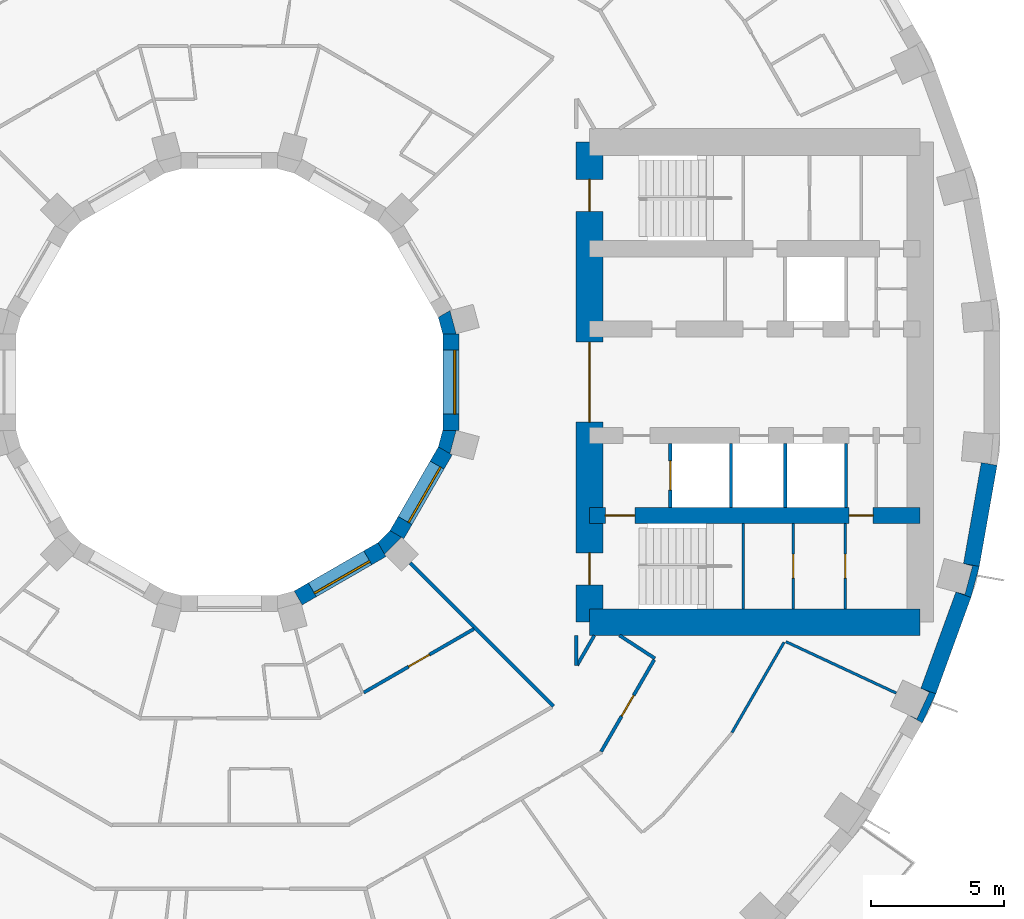
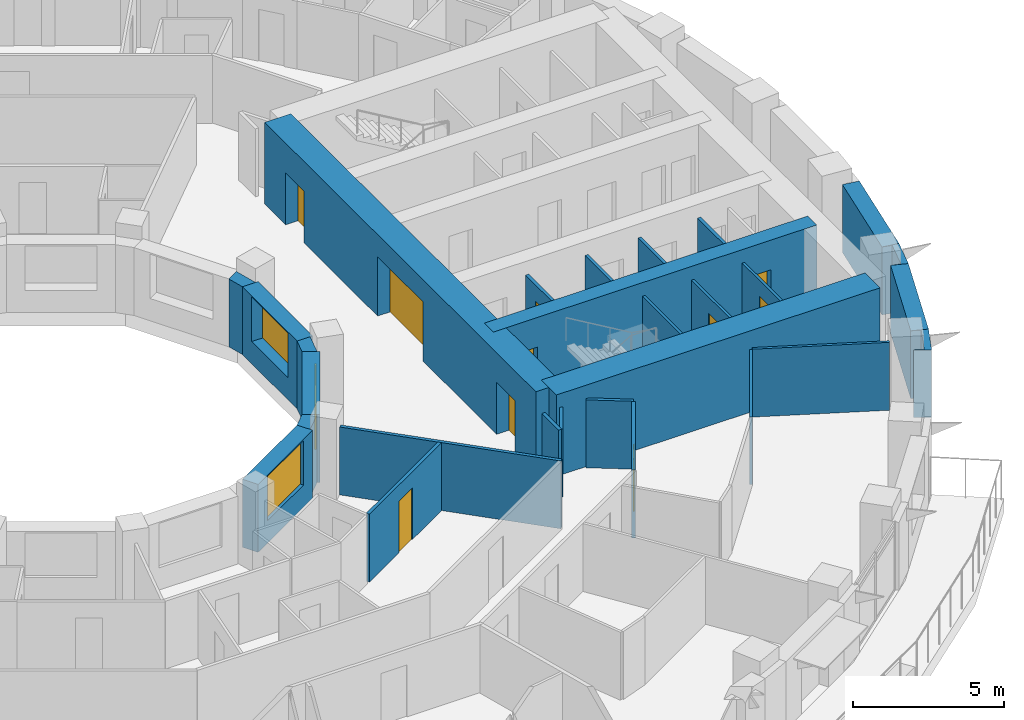
# One storey, part 9 of 16: 28 walls, 10 doors, 3 windows, 13 openings.
"""IFC4 building model written with IfcOpenShell, lengths in metres."""

from ifc_helpers import new_model, si_unit, direction, frame, frame_2d, origin, place, context, subcontext, project, spatial, polyline, rectangle, outline, extrude, material, layer, layer_set, type_object, element, fill, save


model = new_model("IFC4")

# Units and contexts
model_context = context("Model", 3, precision=1e-05, world=origin(), true_north=direction((0.0, 1.0)))
body_context = subcontext(model_context, "Body", "Model", "MODEL_VIEW")
ifc_project = project(units=[si_unit("LENGTHUNIT", "METRE"), si_unit("AREAUNIT", "SQUARE_METRE"), si_unit("VOLUMEUNIT", "CUBIC_METRE"), si_unit("PLANEANGLEUNIT", "RADIAN"), si_unit("MASSUNIT", "GRAM", prefix="KILO")], contexts=[model_context])

# Site, building, storey
site_placement = place(None, origin())
site = spatial("IfcSite", under=ifc_project, at=site_placement, CompositionType="ELEMENT")
building_placement = place(site_placement, origin())
building = spatial("IfcBuilding", under=site, at=building_placement, Name="Saqina Gate Tower", CompositionType="ELEMENT")
storey_placement = place(building_placement, frame((0.0, 0.0, 32.89990234375)))
storey = spatial("IfcBuildingStorey", under=building, at=storey_placement, Name="L08", CompositionType="ELEMENT", Elevation=32.89990234375)

# Walls
ifc_material_1 = material(Name="Brick masonry (red)", Category="masonry")
wall_type_1 = type_object("IfcWallType", Name="BRICK PIER COPING RED", PredefinedType="SOLIDWALL", material=ifc_material_1)
wall_1_placement = place(storey_placement, origin())
element("IfcWall", 1, at=wall_1_placement, inside=storey, type_object=wall_type_1, Name="Pier cap L08 column 34", PredefinedType="SOLIDWALL", context=body_context, shape_type="SweptSolid", body=[
    extrude(outline(polyline([(26.48974609375, -11.687744140625), (25.92578125, -11.482666015625), (26.243408203125, -11.630615234375), (25.778564453125, -12.627685546875), (25.4609375, -12.4794921875), (25.980712890625, -12.779541015625), (26.48974609375, -11.687744140625)])), origin(), (0.0, 0.0, 1.0), 2.75),
])
wall_2_placement = place(storey_placement, origin())
element("IfcWall", 2, at=wall_2_placement, inside=storey, type_object=wall_type_1, Name="Pier cap L08 column 35", PredefinedType="SOLIDWALL", context=body_context, shape_type="SweptSolid", body=[
    extrude(outline(polyline([(28.11669921875, -6.910400390625), (27.52587890625, -6.80615234375), (27.864501953125, -6.896728515625), (27.57958984375, -7.95947265625), (27.2412109375, -7.86865234375), (27.80517578125, -8.073974609375), (28.11669921875, -6.910400390625)])), origin(), (0.0, 0.0, 1.0), 2.75),
])

# Wall, opening, door
ifc_material_2 = material(Name="Gypsum board on steel studs", Category="steel")
ifc_layer_1 = layer(ifc_material_2, 0.10009765625)
ifc_layer_set_1 = layer_set([ifc_layer_1], Name="CORE PARTITION")
wall_type_2 = type_object("IfcWallType", Name="CORE PARTITION", PredefinedType="PARTITIONING", material=ifc_layer_set_1)
wall_3_placement = place(storey_placement, frame((21.14404296875, -8.5, 0.0), z_axis=(0.0, 0.0, 1.0), x_axis=(0.0, 1.0, 0.0)))
wall_3 = element("IfcWall", 3, at=wall_3_placement, inside=storey, type_object=wall_type_2, Name="L08-CP-E15", PredefinedType="PARTITIONING", context=body_context, shape_type="SweptSolid", body=[
    extrude(rectangle(XDim=3.199951171875, YDim=0.10009765625, at=frame_2d((1.60009765625, 0.0))), origin(), (0.0, 0.0, 1.0), 2.75),
])
opening_1_placement = place(wall_3_placement, frame((1.14990234375, 0.0, 0.0)))
opening_1 = element("IfcOpeningElement", 4, at=opening_1_placement, cuts=wall_3, Name="Opening G01-D129", PredefinedType="OPENING", context=body_context, shape_type="SweptSolid", body=[
    extrude(rectangle(XDim=0.89990234375, YDim=2.10009765625, at=frame_2d((0.449951171875, 1.050048828125))), frame((0.0, 0.06201171875, 0.0), z_axis=(0.0, -1.0, 0.0), x_axis=(1.0, 0.0, 0.0)), (0.0, 0.0, 1.0), 0.1240234375),
])
ifc_material_3 = material(Name="Steel-framed fire door leaf, EI 60", Category="steel")
door_type_1 = type_object("IfcDoorType", Name="SERVICE ROOM DOOR 900", OperationType="SINGLE_SWING_LEFT", PredefinedType="DOOR", material=ifc_material_3)
door_1_placement = place(opening_1_placement, frame((0.89990234375, 0.0, 0.0), z_axis=(0.0, 0.0, 1.0), x_axis=(-1.0, 0.0, 0.0)))
door_1 = element("IfcDoor", 5, at=door_1_placement, inside=storey, type_object=door_type_1, Name="L08-CD-E13", OperationType="SINGLE_SWING_RIGHT", OverallHeight=2.10009765625, OverallWidth=0.89990234375, PredefinedType="DOOR", context=body_context, shape_type="SweptSolid", body=[
    extrude(rectangle(XDim=0.89990234375, YDim=2.10009765625, at=frame_2d((0.449951171875, 1.050048828125))), frame((0.0, 0.02490234375, 0.0), z_axis=(0.0, -1.0, 0.0), x_axis=(1.0, 0.0, 0.0)), (0.0, 0.0, 1.0), 0.050048828125),
])
fill(opening_1, door_1)

wall_4_placement = place(storey_placement, frame((23.089599609375, -8.5, 0.0), z_axis=(0.0, 0.0, 1.0), x_axis=(0.0, 1.0, 0.0)))
wall_4 = element("IfcWall", 6, at=wall_4_placement, inside=storey, type_object=wall_type_2, Name="L08-CP-E16", PredefinedType="PARTITIONING", context=body_context, shape_type="SweptSolid", body=[
    extrude(rectangle(XDim=3.199951171875, YDim=0.10009765625, at=frame_2d((1.60009765625, 0.0))), origin(), (0.0, 0.0, 1.0), 2.75),
])
opening_2_placement = place(wall_4_placement, frame((1.14990234375, 0.0, 0.0)))
opening_2 = element("IfcOpeningElement", 7, at=opening_2_placement, cuts=wall_4, Name="Opening G01-D128", PredefinedType="OPENING", context=body_context, shape_type="SweptSolid", body=[
    extrude(rectangle(XDim=0.89990234375, YDim=2.10009765625, at=frame_2d((0.449951171875, 1.050048828125))), frame((0.0, 0.06201171875, 0.0), z_axis=(0.0, -1.0, 0.0), x_axis=(1.0, 0.0, 0.0)), (0.0, 0.0, 1.0), 0.1240234375),
])
door_2_placement = place(opening_2_placement, frame((0.89990234375, 0.0, 0.0), z_axis=(0.0, 0.0, 1.0), x_axis=(-1.0, 0.0, 0.0)))
door_2 = element("IfcDoor", 8, at=door_2_placement, inside=storey, type_object=door_type_1, Name="L08-CD-E12", OperationType="SINGLE_SWING_RIGHT", OverallHeight=2.10009765625, OverallWidth=0.89990234375, PredefinedType="DOOR", context=body_context, shape_type="SweptSolid", body=[
    extrude(rectangle(XDim=0.89990234375, YDim=2.10009765625, at=frame_2d((0.449951171875, 1.050048828125))), frame((0.0, 0.02490234375, 0.0), z_axis=(0.0, -1.0, 0.0), x_axis=(1.0, 0.0, 0.0)), (0.0, 0.0, 1.0), 0.050048828125),
])
fill(opening_2, door_2)

# Walls
ifc_material_4 = material(Name="Glazed ceramic tile", Category="ceramic")
ifc_layer_2 = layer(ifc_material_4, 0.60009765625)
ifc_layer_set_2 = layer_set([ifc_layer_2], Name="FW-TILE")
wall_type_3 = type_object("IfcWallType", Name="FW-TILE", PredefinedType="SOLIDWALL", material=ifc_layer_set_2)
wall_5_placement = place(storey_placement, frame((27.8212890625, -6.858154296875, 0.0), z_axis=(0.0, 0.0, 1.0), x_axis=(0.173687553279, 0.984800809218, 0.0)))
element("IfcWall", 9, at=wall_5_placement, inside=storey, type_object=wall_type_3, Name="Facade wall L08 facet 35", PredefinedType="SOLIDWALL", context=body_context, shape_type="SweptSolid", body=[
    extrude(rectangle(XDim=3.845703125, YDim=0.60009765625, at=frame_2d((1.9228515625, 0.0))), origin(), (0.0, 0.0, 1.0), 2.75),
])
ifc_material_5 = material(Name="Glazed ceramic tile (dark blue)", Category="ceramic")
ifc_layer_3 = layer(ifc_material_5, 0.60009765625)
ifc_layer_set_3 = layer_set([ifc_layer_3], Name="FW-TILE-CB")
wall_type_4 = type_object("IfcWallType", Name="FW-TILE-CB", PredefinedType="SOLIDWALL", material=ifc_layer_set_3)
wall_6_placement = place(storey_placement, frame((26.207763671875, -11.585205078125, 0.0), z_axis=(0.0, 0.0, 1.0), x_axis=(0.342028474173, 0.939689588564, 0.0)))
element("IfcWall", 10, at=wall_6_placement, inside=storey, type_object=wall_type_4, Name="Facade wall L08 facet 34", PredefinedType="SOLIDWALL", context=body_context, shape_type="SweptSolid", body=[
    extrude(rectangle(XDim=3.845947265625, YDim=0.60009765625, at=frame_2d((1.9228515625, 0.0))), origin(), (0.0, 0.0, 1.0), 2.75),
])

# Wall, opening, window
ifc_material_6 = material(Name="Glazed ceramic tile", Category="ceramic")
ifc_layer_4 = layer(ifc_material_6, 0.60009765625)
ifc_layer_set_4 = layer_set([ifc_layer_4], Name="IW-TILE")
wall_type_5 = type_object("IfcWallType", Name="IW-TILE", PredefinedType="SOLIDWALL", material=ifc_layer_set_4)
wall_7_placement = place(storey_placement, frame((2.580322265625, -8.09423828125, 0.0), z_axis=(0.0, 0.0, 1.0), x_axis=(0.866029693906, 0.499992569217, 0.0)))
wall_7 = element("IfcWall", 11, at=wall_7_placement, inside=storey, type_object=wall_type_5, Name="Well wall L08 facet 10", PredefinedType="SOLIDWALL", context=body_context, shape_type="SweptSolid", body=[
    extrude(rectangle(XDim=3.625, YDim=0.60009765625, at=frame_2d((1.8125, 0.0))), origin(), (0.0, 0.0, 1.0), 2.75),
])
opening_3_placement = place(wall_7_placement, frame((0.612548828125, 0.0, 0.89990234375)))
opening_3 = element("IfcOpeningElement", 12, at=opening_3_placement, cuts=wall_7, Name="Opening G01-W32", PredefinedType="OPENING", context=body_context, shape_type="SweptSolid", body=[
    extrude(rectangle(XDim=2.39990234375, YDim=1.800048828125, at=frame_2d((1.199951171875, 0.89990234375))), frame((0.0, 0.31201171875, 0.0), z_axis=(0.0, -1.0, 0.0), x_axis=(1.0, 0.0, 0.0)), (0.0, 0.0, 1.0), 0.6240234375),
])
ifc_material_7 = material(Name="Aluminium glazing", Category="aluminium")
window_type = type_object("IfcWindowType", Name="WN-W", PartitioningType="SINGLE_PANEL", PredefinedType="WINDOW", material=ifc_material_7)
window_1_placement = place(opening_3_placement, origin())
window_1 = element("IfcWindow", 13, at=window_1_placement, inside=storey, type_object=window_type, Name="Well window L08 facet 10", OverallHeight=1.800048828125, OverallWidth=2.39990234375, PartitioningType="SINGLE_PANEL", PredefinedType="WINDOW", context=body_context, shape_type="SweptSolid", body=[
    extrude(rectangle(XDim=2.39990234375, YDim=1.800048828125, at=frame_2d((1.199951171875, 0.89990234375))), frame((0.0, -0.119873046875, 0.0), z_axis=(0.0, -1.0, 0.0), x_axis=(1.0, 0.0, 0.0)), (0.0, 0.0, 1.0), 0.06005859375),
])
fill(opening_3, window_1)

wall_8_placement = place(storey_placement, frame((6.28173828125, -5.7197265625, 0.0), z_axis=(0.0, 0.0, 1.0), x_axis=(0.499992569217, 0.866029693906, 0.0)))
wall_8 = element("IfcWall", 14, at=wall_8_placement, inside=storey, type_object=wall_type_5, Name="Well wall L08 facet 11", PredefinedType="SOLIDWALL", context=body_context, shape_type="SweptSolid", body=[
    extrude(rectangle(XDim=3.625, YDim=0.60009765625, at=frame_2d((1.8125, 0.0))), origin(), (0.0, 0.0, 1.0), 2.75),
])
opening_4_placement = place(wall_8_placement, frame((0.612548828125, 0.0, 0.89990234375)))
opening_4 = element("IfcOpeningElement", 15, at=opening_4_placement, cuts=wall_8, Name="Opening G01-W33", PredefinedType="OPENING", context=body_context, shape_type="SweptSolid", body=[
    extrude(rectangle(XDim=2.39990234375, YDim=1.800048828125, at=frame_2d((1.199951171875, 0.89990234375))), frame((0.0, 0.31201171875, 0.0), z_axis=(0.0, -1.0, 0.0), x_axis=(1.0, 0.0, 0.0)), (0.0, 0.0, 1.0), 0.6240234375),
])
window_2_placement = place(opening_4_placement, origin())
window_2 = element("IfcWindow", 16, at=window_2_placement, inside=storey, type_object=window_type, Name="Well window L08 facet 11", OverallHeight=1.800048828125, OverallWidth=2.39990234375, PartitioningType="SINGLE_PANEL", PredefinedType="WINDOW", context=body_context, shape_type="SweptSolid", body=[
    extrude(rectangle(XDim=2.39990234375, YDim=1.800048828125, at=frame_2d((1.199951171875, 0.89990234375))), frame((0.0, -0.119873046875, 0.0), z_axis=(0.0, -1.0, 0.0), x_axis=(1.0, 0.0, 0.0)), (0.0, 0.0, 1.0), 0.06005859375),
])
fill(opening_4, window_2)

wall_9_placement = place(storey_placement, frame((8.300048828125, -1.8125, 0.0), z_axis=(0.0, 0.0, 1.0), x_axis=(0.0, 1.0, 0.0)))
wall_9 = element("IfcWall", 17, at=wall_9_placement, inside=storey, type_object=wall_type_5, Name="Well wall L08 facet 12", PredefinedType="SOLIDWALL", context=body_context, shape_type="SweptSolid", body=[
    extrude(rectangle(XDim=3.625, YDim=0.60009765625, at=frame_2d((1.8125, 0.0))), origin(), (0.0, 0.0, 1.0), 2.75),
])
opening_5_placement = place(wall_9_placement, frame((0.612548828125, 0.0, 0.89990234375)))
opening_5 = element("IfcOpeningElement", 18, at=opening_5_placement, cuts=wall_9, Name="Opening G01-W34", PredefinedType="OPENING", context=body_context, shape_type="SweptSolid", body=[
    extrude(rectangle(XDim=2.39990234375, YDim=1.800048828125, at=frame_2d((1.199951171875, 0.89990234375))), frame((0.0, 0.31201171875, 0.0), z_axis=(0.0, -1.0, 0.0), x_axis=(1.0, 0.0, 0.0)), (0.0, 0.0, 1.0), 0.6240234375),
])
window_3_placement = place(opening_5_placement, origin())
window_3 = element("IfcWindow", 19, at=window_3_placement, inside=storey, type_object=window_type, Name="Well window L08 facet 12", OverallHeight=1.800048828125, OverallWidth=2.39990234375, PartitioningType="SINGLE_PANEL", PredefinedType="WINDOW", context=body_context, shape_type="SweptSolid", body=[
    extrude(rectangle(XDim=2.39990234375, YDim=1.800048828125, at=frame_2d((1.199951171875, 0.89990234375))), frame((0.0, -0.119873046875, 0.0), z_axis=(0.0, -1.0, 0.0), x_axis=(1.0, 0.0, 0.0)), (0.0, 0.0, 1.0), 0.06005859375),
])
fill(opening_5, window_3)

# Walls
ifc_material_8 = material(Name="Gypsum board on steel studs, 100 mm", Category="steel")
ifc_layer_5 = layer(ifc_material_8, 0.10009765625)
ifc_layer_set_5 = layer_set([ifc_layer_5], Name="PARTITION 100")
wall_type_6 = type_object("IfcWallType", Name="PARTITION 100", PredefinedType="PARTITIONING", material=ifc_layer_set_5)
wall_10_placement = place(storey_placement, frame((20.868408203125, -9.734130859375, 0.0), z_axis=(0.0, 0.0, 1.0), x_axis=(0.906374415398, -0.422475347342, 0.0)))
element("IfcWall", 20, at=wall_10_placement, inside=storey, type_object=wall_type_6, Name="PARTITION PW3-46", PredefinedType="PARTITIONING", context=body_context, shape_type="SweptSolid", body=[
    extrude(rectangle(XDim=4.56298828125, YDim=0.10009765625, at=frame_2d((2.281494140625, 0.0))), origin(), (0.0, 0.0, 1.0), 2.75),
])
wall_11_placement = place(storey_placement, frame((18.846923828125, -13.1357421875, 0.0), z_axis=(0.0, 0.0, 1.0), x_axis=(0.499985873194, 0.866033559746, 0.0)))
element("IfcWall", 21, at=wall_11_placement, inside=storey, type_object=wall_type_6, Name="PARTITION PW3-101", PredefinedType="PARTITIONING", context=body_context, shape_type="SweptSolid", body=[
    extrude(rectangle(XDim=3.904296875, YDim=0.10009765625, at=frame_2d((1.9521484375, 0.0))), origin(), (0.0, 0.0, 1.0), 2.75),
])
ifc_material_9 = material(Name="Gypsum board on steel studs, 125 mm, fire rated", Category="steel")
ifc_layer_6 = layer(ifc_material_9, 0.125)
ifc_layer_set_6 = layer_set([ifc_layer_6], Name="PARTITION EI 30 125")
wall_type_7 = type_object("IfcWallType", Name="PARTITION EI 30 125", PredefinedType="PARTITIONING", material=ifc_layer_set_6)
wall_12_placement = place(storey_placement, frame((6.78271484375, -6.78271484375, 0.0), z_axis=(0.0, 0.0, 1.0), x_axis=(0.707106781187, -0.707106781187, 0.0)))
element("IfcWall", 22, at=wall_12_placement, inside=storey, type_object=wall_type_7, Name="PARTITION PW1-09", PredefinedType="PARTITIONING", context=body_context, shape_type="SweptSolid", body=[
    extrude(rectangle(XDim=7.593505859375, YDim=0.125, at=frame_2d((3.796875, 0.0))), origin(), (0.0, 0.0, 1.0), 2.75),
])
wall_13_placement = place(storey_placement, frame((14.62890625, -9.5, 0.0), z_axis=(0.0, 0.0, 1.0), x_axis=(0.838795721465, -0.544446267002, 0.0)))
element("IfcWall", 23, at=wall_13_placement, inside=storey, type_object=wall_type_7, Name="PARTITION PW1-12", PredefinedType="PARTITIONING", context=body_context, shape_type="SweptSolid", body=[
    extrude(rectangle(XDim=1.583251953125, YDim=0.125, at=frame_2d((0.79150390625, 0.0))), origin(), (0.0, 0.0, 1.0), 2.75),
])

# Wall, opening, door
wall_14_placement = place(storey_placement, frame((5.039306640625, -11.639892578125, 0.0), z_axis=(0.0, 0.0, 1.0), x_axis=(0.866051761422, 0.499954344453, 0.0)))
wall_14 = element("IfcWall", 24, at=wall_14_placement, inside=storey, type_object=wall_type_7, Name="PARTITION PW1-39", PredefinedType="PARTITIONING", context=body_context, shape_type="SweptSolid", body=[
    extrude(rectangle(XDim=4.76953125, YDim=0.125, at=frame_2d((2.384765625, 0.0))), origin(), (0.0, 0.0, 1.0), 2.75),
])
opening_6_placement = place(wall_14_placement, frame((1.94091796875, 0.0, 0.0)))
opening_6 = element("IfcOpeningElement", 25, at=opening_6_placement, cuts=wall_14, Name="Opening G01-D65", PredefinedType="OPENING", context=body_context, shape_type="SweptSolid", body=[
    extrude(rectangle(XDim=0.89990234375, YDim=2.10009765625, at=frame_2d((0.449951171875, 1.050048828125))), frame((0.0, 0.074462890625, 0.0), z_axis=(0.0, -1.0, 0.0), x_axis=(1.0, 0.0, 0.0)), (0.0, 0.0, 1.0), 0.14892578125),
])
ifc_material_10 = material(Name="Fire door leaf EI 30, 900 mm")
door_type_2 = type_object("IfcDoorType", Name="DOOR 900 EI 30", OperationType="SINGLE_SWING_LEFT", PredefinedType="DOOR", material=ifc_material_10)
door_3_placement = place(opening_6_placement, frame((0.89990234375, 0.0, 0.0), z_axis=(0.0, 0.0, 1.0), x_axis=(-1.0, 0.0, 0.0)))
door_3 = element("IfcDoor", 26, at=door_3_placement, inside=storey, type_object=door_type_2, Name="DOOR G01-D65", OperationType="SINGLE_SWING_LEFT", OverallHeight=2.10009765625, OverallWidth=0.89990234375, PredefinedType="DOOR", context=body_context, shape_type="SweptSolid", body=[
    extrude(rectangle(XDim=0.89990234375, YDim=2.10009765625, at=frame_2d((0.449951171875, 1.050048828125))), frame((0.0, 0.02490234375, 0.0), z_axis=(0.0, -1.0, 0.0), x_axis=(1.0, 0.0, 0.0)), (0.0, 0.0, 1.0), 0.050048828125),
])
fill(opening_6, door_3)

wall_15_placement = place(storey_placement, frame((13.940185546875, -13.85498046875, 0.0), z_axis=(0.0, 0.0, 1.0), x_axis=(0.500020477838, 0.866013580576, 0.0)))
wall_15 = element("IfcWall", 27, at=wall_15_placement, inside=storey, type_object=wall_type_7, Name="PARTITION PW1-49", PredefinedType="PARTITIONING", context=body_context, shape_type="SweptSolid", body=[
    extrude(rectangle(XDim=3.970947265625, YDim=0.125, at=frame_2d((1.9853515625, 0.0))), origin(), (0.0, 0.0, 1.0), 2.75),
])
opening_7_placement = place(wall_15_placement, frame((1.535400390625, 0.0, 0.0)))
opening_7 = element("IfcOpeningElement", 28, at=opening_7_placement, cuts=wall_15, Name="Opening G01-D67", PredefinedType="OPENING", context=body_context, shape_type="SweptSolid", body=[
    extrude(rectangle(XDim=0.89990234375, YDim=2.10009765625, at=frame_2d((0.449951171875, 1.050048828125))), frame((0.0, 0.074462890625, 0.0), z_axis=(0.0, -1.0, 0.0), x_axis=(1.0, 0.0, 0.0)), (0.0, 0.0, 1.0), 0.14892578125),
])
door_4_placement = place(opening_7_placement, frame((0.89990234375, 0.0, 0.0), z_axis=(0.0, 0.0, 1.0), x_axis=(-1.0, 0.0, 0.0)))
door_4 = element("IfcDoor", 29, at=door_4_placement, inside=storey, type_object=door_type_2, Name="DOOR G01-D67", OperationType="SINGLE_SWING_LEFT", OverallHeight=2.10009765625, OverallWidth=0.89990234375, PredefinedType="DOOR", context=body_context, shape_type="SweptSolid", body=[
    extrude(rectangle(XDim=0.89990234375, YDim=2.10009765625, at=frame_2d((0.449951171875, 1.050048828125))), frame((0.0, 0.02490234375, 0.0), z_axis=(0.0, -1.0, 0.0), x_axis=(1.0, 0.0, 0.0)), (0.0, 0.0, 1.0), 0.050048828125),
])
fill(opening_7, door_4)

# Walls
wall_16_placement = place(storey_placement, frame((13.0400390625, -10.61376953125, 0.0), z_axis=(0.0, 0.0, 1.0), x_axis=(0.500018234033, 0.866014876105, 0.0)))
element("IfcWall", 30, at=wall_16_placement, inside=storey, type_object=wall_type_7, Name="PARTITION PW1-50", PredefinedType="PARTITIONING", context=body_context, shape_type="SweptSolid", body=[
    extrude(rectangle(XDim=1.2861328125, YDim=0.125, at=frame_2d((0.64306640625, 0.0))), origin(), (0.0, 0.0, 1.0), 2.75),
])
wall_17_placement = place(storey_placement, frame((13.0, -10.62060546875, 0.0), z_axis=(0.0, 0.0, 1.0), x_axis=(0.0, 1.0, 0.0)))
element("IfcWall", 31, at=wall_17_placement, inside=storey, type_object=wall_type_7, Name="PARTITION PW1-53", PredefinedType="PARTITIONING", context=body_context, shape_type="SweptSolid", body=[
    extrude(rectangle(XDim=1.12060546875, YDim=0.125, at=frame_2d((0.560302734375, 0.0))), origin(), (0.0, 0.0, 1.0), 2.75),
])

# Wall, opening, door
ifc_material_11 = material(Name="Autoclaved aerated concrete block", Category="concrete")
ifc_layer_7 = layer(ifc_material_11, 0.1201171875)
ifc_layer_set_7 = layer_set([ifc_layer_7], Name="SHAFT PARTITION")
wall_type_8 = type_object("IfcWallType", Name="SHAFT PARTITION", PredefinedType="PARTITIONING", material=ifc_layer_set_7)
wall_18_placement = place(storey_placement, frame((16.530029296875, -4.699951171875, 0.0), z_axis=(0.0, 0.0, 1.0), x_axis=(0.0, 1.0, 0.0)))
wall_18 = element("IfcWall", 32, at=wall_18_placement, inside=storey, type_object=wall_type_8, Name="L08-CP-E05", PredefinedType="PARTITIONING", context=body_context, shape_type="SweptSolid", body=[
    extrude(rectangle(XDim=2.39990234375, YDim=0.1201171875, at=frame_2d((1.199951171875, 0.0))), origin(), (0.0, 0.0, 1.0), 2.75),
])
opening_8_placement = place(wall_18_placement, frame((0.64990234375, 0.0, 0.0)))
opening_8 = element("IfcOpeningElement", 33, at=opening_8_placement, cuts=wall_18, Name="Opening G01-LD2", PredefinedType="OPENING", context=body_context, shape_type="SweptSolid", body=[
    extrude(rectangle(XDim=1.10009765625, YDim=2.10009765625, at=frame_2d((0.550048828125, 1.050048828125))), frame((0.0, 0.072021484375, 0.0), z_axis=(0.0, -1.0, 0.0), x_axis=(1.0, 0.0, 0.0)), (0.0, 0.0, 1.0), 0.14404296875),
])
ifc_material_12 = material(Name="Stainless steel", Category="steel")
door_type_3 = type_object("IfcDoorType", Name="LANDING DOOR", OperationType="DOUBLE_DOOR_SLIDING", PredefinedType="DOOR", material=ifc_material_12)
door_5_placement = place(opening_8_placement, origin())
door_5 = element("IfcDoor", 34, at=door_5_placement, inside=storey, type_object=door_type_3, Name="LANDING DOOR FF1", OperationType="DOUBLE_DOOR_SLIDING", OverallHeight=2.10009765625, OverallWidth=1.10009765625, PredefinedType="DOOR", context=body_context, shape_type="SweptSolid", body=[
    extrude(rectangle(XDim=1.10009765625, YDim=2.10009765625, at=frame_2d((0.550048828125, 1.050048828125))), frame((0.0, 0.02490234375, 0.0), z_axis=(0.0, -1.0, 0.0), x_axis=(1.0, 0.0, 0.0)), (0.0, 0.0, 1.0), 0.050048828125),
])
fill(opening_8, door_5)

# Walls
for number, where, z_axis, x_axis, name in (
    (35, (18.81005859375, -4.699951171875, 0.0), (0.0, 0.0, 1.0), (0.0, 1.0, 0.0), "L08-CP-E06"),
    (36, (20.840087890625, -4.699951171875, 0.0), (0.0, 0.0, 1.0), (0.0, 1.0, 0.0), "L08-CP-E07"),
    (37, (23.1201171875, -4.699951171875, 0.0), (0.0, 0.0, 1.0), (0.0, 1.0, 0.0), "L08-CP-E08"),
):
    element("IfcWall", number, at=place(storey_placement, frame(where, z_axis=z_axis, x_axis=x_axis)), inside=storey, type_object=wall_type_8, Name=name, PredefinedType="PARTITIONING", context=body_context, shape_type="SweptSolid", body=[
        extrude(rectangle(XDim=2.39990234375, YDim=0.1201171875, at=frame_2d((1.199951171875, 0.0))), origin(), (0.0, 0.0, 1.0), 2.75),
    ])
ifc_material_13 = material(Name="Autoclaved aerated concrete block", Category="concrete")
ifc_layer_8 = layer(ifc_material_13, 0.10009765625)
ifc_layer_set_8 = layer_set([ifc_layer_8], Name="STAIR ENCLOSURE WALL")
wall_type_9 = type_object("IfcWallType", Name="STAIR ENCLOSURE WALL", PredefinedType="PARTITIONING", material=ifc_layer_set_8)
wall_19_placement = place(storey_placement, frame((19.27001953125, -8.5, 0.0), z_axis=(0.0, 0.0, 1.0), x_axis=(0.0, 1.0, 0.0)))
element("IfcWall", 38, at=wall_19_placement, inside=storey, type_object=wall_type_9, Name="L08-CP-E14", PredefinedType="PARTITIONING", context=body_context, shape_type="SweptSolid", body=[
    extrude(rectangle(XDim=3.199951171875, YDim=0.10009765625, at=frame_2d((1.60009765625, 0.0))), origin(), (0.0, 0.0, 1.0), 2.75),
])

# Wall, openings, doors
ifc_material_14 = material(Name="Concrete C70/85", Category="concrete")
ifc_layer_9 = layer(ifc_material_14, 0.60009765625)
ifc_layer_set_9 = layer_set([ifc_layer_9], Name="Concrete C70/85")
wall_type_10 = type_object("IfcWallType", Name="STR-CORE WALL-A-I", PredefinedType="SHEAR", material=ifc_layer_set_9)
wall_20_placement = place(storey_placement, frame((13.5, -5.0, 0.0), z_axis=(0.0, 0.0, 1.0), x_axis=(1.0, 0.0, 0.0)))
wall_20 = element("IfcWall", 39, at=wall_20_placement, inside=storey, type_object=wall_type_10, Name="CORE WALL L08 E-X2", PredefinedType="SHEAR", context=body_context, shape_type="SweptSolid", body=[
    extrude(rectangle(XDim=12.39990234375, YDim=0.60009765625, at=frame_2d((6.199951171875, 0.0))), origin(), (0.0, 0.0, 1.0), 3.300048828125),
])
opening_9_placement = place(wall_20_placement, frame((9.739990234375, 0.0, 0.0)))
opening_9 = element("IfcOpeningElement", 40, at=opening_9_placement, cuts=wall_20, Name="Opening G01-D130", PredefinedType="OPENING", context=body_context, shape_type="SweptSolid", body=[
    extrude(rectangle(XDim=0.89990234375, YDim=2.10009765625, at=frame_2d((0.449951171875, 1.050048828125))), frame((0.0, 0.31201171875, 0.0), z_axis=(0.0, -1.0, 0.0), x_axis=(1.0, 0.0, 0.0)), (0.0, 0.0, 1.0), 0.6240234375),
])
opening_10_placement = place(wall_20_placement, frame((0.60009765625, 0.0, 0.0)))
opening_10 = element("IfcOpeningElement", 41, at=opening_10_placement, cuts=wall_20, Name="Opening G01-D104", PredefinedType="OPENING", context=body_context, shape_type="SweptSolid", body=[
    extrude(rectangle(XDim=1.10009765625, YDim=2.10009765625, at=frame_2d((0.550048828125, 1.050048828125))), frame((0.0, 0.31201171875, 0.0), z_axis=(0.0, -1.0, 0.0), x_axis=(1.0, 0.0, 0.0)), (0.0, 0.0, 1.0), 0.6240234375),
])
ifc_material_15 = material(Name="Steel", Category="steel")
door_type_4 = type_object("IfcDoorType", Name="FIRE LOBBY DOOR EI 60 WIDE", OperationType="SINGLE_SWING_LEFT", PredefinedType="DOOR", material=ifc_material_15)
door_6_placement = place(opening_10_placement, frame((1.10009765625, 0.0, 0.0), z_axis=(0.0, 0.0, 1.0), x_axis=(-1.0, 0.0, 0.0)))
door_6 = element("IfcDoor", 42, at=door_6_placement, inside=storey, type_object=door_type_4, Name="L08-CD-E15", OperationType="SINGLE_SWING_RIGHT", OverallHeight=2.10009765625, OverallWidth=1.10009765625, PredefinedType="DOOR", context=body_context, shape_type="SweptSolid", body=[
    extrude(rectangle(XDim=1.10009765625, YDim=2.10009765625, at=frame_2d((0.550048828125, 1.050048828125))), frame((0.0, 0.02490234375, 0.0), z_axis=(0.0, -1.0, 0.0), x_axis=(1.0, 0.0, 0.0)), (0.0, 0.0, 1.0), 0.050048828125),
])
fill(opening_10, door_6)
door_7_placement = place(opening_9_placement, frame((0.89990234375, 0.0, 0.0), z_axis=(0.0, 0.0, 1.0), x_axis=(-1.0, 0.0, 0.0)))
door_7 = element("IfcDoor", 43, at=door_7_placement, inside=storey, type_object=door_type_1, Name="L08-CD-E14", OperationType="SINGLE_SWING_RIGHT", OverallHeight=2.10009765625, OverallWidth=0.89990234375, PredefinedType="DOOR", context=body_context, shape_type="SweptSolid", body=[
    extrude(rectangle(XDim=0.89990234375, YDim=2.10009765625, at=frame_2d((0.449951171875, 1.050048828125))), frame((0.0, 0.02490234375, 0.0), z_axis=(0.0, -1.0, 0.0), x_axis=(1.0, 0.0, 0.0)), (0.0, 0.0, 1.0), 0.050048828125),
])
fill(opening_9, door_7)

ifc_material_16 = material(Name="Concrete C70/85", Category="concrete")
ifc_layer_10 = layer(ifc_material_16, 1.0)
ifc_layer_set_10 = layer_set([ifc_layer_10], Name="Concrete C70/85")
wall_type_11 = type_object("IfcWallType", Name="STR-CORE WALL-A-O", PredefinedType="SHEAR", material=ifc_layer_set_10)
wall_21_placement = place(storey_placement, frame((13.5, -9.0, 0.0), z_axis=(0.0, 0.0, 1.0), x_axis=(0.0, 1.0, 0.0)))
wall_21 = element("IfcWall", 44, at=wall_21_placement, inside=storey, type_object=wall_type_11, Name="CORE WALL L08 E-W1", PredefinedType="SHEAR", context=body_context, shape_type="SweptSolid", body=[
    extrude(rectangle(XDim=18.0, YDim=1.0, at=frame_2d((9.0, 0.0))), origin(), (0.0, 0.0, 1.0), 3.300048828125),
])
opening_11_placement = place(wall_21_placement, frame((15.39990234375, 0.0, 0.0)))
opening_11 = element("IfcOpeningElement", 45, at=opening_11_placement, cuts=wall_21, Name="Opening G01-D105", PredefinedType="OPENING", context=body_context, shape_type="SweptSolid", body=[
    extrude(rectangle(XDim=1.199951171875, YDim=2.10009765625, at=frame_2d((0.60009765625, 1.050048828125))), frame((0.0, 0.511962890625, 0.0), z_axis=(0.0, -1.0, 0.0), x_axis=(1.0, 0.0, 0.0)), (0.0, 0.0, 1.0), 1.02392578125),
])
opening_12_placement = place(wall_21_placement, frame((1.39990234375, 0.0, 0.0)))
opening_12 = element("IfcOpeningElement", 46, at=opening_12_placement, cuts=wall_21, Name="Opening G01-D106", PredefinedType="OPENING", context=body_context, shape_type="SweptSolid", body=[
    extrude(rectangle(XDim=1.199951171875, YDim=2.10009765625, at=frame_2d((0.60009765625, 1.050048828125))), frame((0.0, 0.511962890625, 0.0), z_axis=(0.0, -1.0, 0.0), x_axis=(1.0, 0.0, 0.0)), (0.0, 0.0, 1.0), 1.02392578125),
])
opening_13_placement = place(wall_21_placement, frame((7.5, 0.0, 0.0)))
opening_13 = element("IfcOpeningElement", 47, at=opening_13_placement, cuts=wall_21, Name="Opening G01-D107", PredefinedType="OPENING", context=body_context, shape_type="SweptSolid", body=[
    extrude(rectangle(XDim=3.0, YDim=2.39990234375, at=frame_2d((1.5, 1.199951171875))), frame((0.0, 0.511962890625, 0.0), z_axis=(0.0, -1.0, 0.0), x_axis=(1.0, 0.0, 0.0)), (0.0, 0.0, 1.0), 1.02392578125),
])
ifc_material_17 = material(Name="Steel", Category="steel")
door_type_5 = type_object("IfcDoorType", Name="FIRE DOOR EI 60", OperationType="SINGLE_SWING_LEFT", PredefinedType="DOOR", material=ifc_material_17)
door_8_placement = place(opening_11_placement, frame((1.199951171875, 0.0, 0.0), z_axis=(0.0, 0.0, 1.0), x_axis=(-1.0, 0.0, 0.0)))
door_8 = element("IfcDoor", 48, at=door_8_placement, inside=storey, type_object=door_type_5, Name="L08-CD-E16", OperationType="SINGLE_SWING_LEFT", OverallHeight=2.10009765625, OverallWidth=1.199951171875, PredefinedType="DOOR", context=body_context, shape_type="SweptSolid", body=[
    extrude(rectangle(XDim=1.199951171875, YDim=2.10009765625, at=frame_2d((0.60009765625, 1.050048828125))), frame((0.0, 0.02490234375, 0.0), z_axis=(0.0, -1.0, 0.0), x_axis=(1.0, 0.0, 0.0)), (0.0, 0.0, 1.0), 0.050048828125),
])
fill(opening_11, door_8)
door_9_placement = place(opening_12_placement, frame((1.199951171875, 0.0, 0.0), z_axis=(0.0, 0.0, 1.0), x_axis=(-1.0, 0.0, 0.0)))
door_9 = element("IfcDoor", 49, at=door_9_placement, inside=storey, type_object=door_type_5, Name="L08-CD-E17", OperationType="SINGLE_SWING_RIGHT", OverallHeight=2.10009765625, OverallWidth=1.199951171875, PredefinedType="DOOR", context=body_context, shape_type="SweptSolid", body=[
    extrude(rectangle(XDim=1.199951171875, YDim=2.10009765625, at=frame_2d((0.60009765625, 1.050048828125))), frame((0.0, 0.02490234375, 0.0), z_axis=(0.0, -1.0, 0.0), x_axis=(1.0, 0.0, 0.0)), (0.0, 0.0, 1.0), 0.050048828125),
])
fill(opening_12, door_9)
ifc_material_18 = material(Name="Steel and fire-resisting glass", Category="steel")
door_type_6 = type_object("IfcDoorType", Name="LOBBY SCREEN DOOR", OperationType="DOUBLE_DOOR_SLIDING", PredefinedType="DOOR", material=ifc_material_18)
door_10_placement = place(opening_13_placement, origin())
door_10 = element("IfcDoor", 50, at=door_10_placement, inside=storey, type_object=door_type_6, Name="L08-CD-E18", OperationType="DOUBLE_DOOR_SLIDING", OverallHeight=2.39990234375, OverallWidth=3.0, PredefinedType="DOOR", context=body_context, shape_type="SweptSolid", body=[
    extrude(rectangle(XDim=3.0, YDim=2.39990234375, at=frame_2d((1.5, 1.199951171875))), frame((0.0, 0.02490234375, 0.0), z_axis=(0.0, -1.0, 0.0), x_axis=(1.0, 0.0, 0.0)), (0.0, 0.0, 1.0), 0.050048828125),
])
fill(opening_13, door_10)

# Walls
wall_22_placement = place(storey_placement, frame((13.5, -9.0, 0.0), z_axis=(0.0, 0.0, 1.0), x_axis=(1.0, 0.0, 0.0)))
element("IfcWall", 51, at=wall_22_placement, inside=storey, type_object=wall_type_11, Name="CORE WALL L08 E-SE", PredefinedType="SHEAR", context=body_context, shape_type="SweptSolid", body=[
    extrude(rectangle(XDim=12.39990234375, YDim=1.0, at=frame_2d((6.199951171875, 0.0))), origin(), (0.0, 0.0, 1.0), 3.300048828125),
])
ifc_material_19 = material(Name="Glazed ceramic tile", Category="ceramic")
wall_type_12 = type_object("IfcWallType", Name="TILE PIER COPING", PredefinedType="SOLIDWALL", material=ifc_material_19)
wall_23_placement = place(storey_placement, origin())
element("IfcWall", 52, at=wall_23_placement, inside=storey, type_object=wall_type_12, Name="Well pier cap L08 column 1", PredefinedType="SOLIDWALL", context=body_context, shape_type="SweptSolid", body=[
    extrude(outline(polyline([(8.27001953125, 2.681884765625), (7.83447265625, 2.430419921875), (8.0, 1.8125), (8.502685546875, 1.8125), (8.27001953125, 2.681884765625)])), origin(), (0.0, 0.0, 1.0), 2.75),
])
wall_24_placement = place(storey_placement, origin())
element("IfcWall", 53, at=wall_24_placement, inside=storey, type_object=wall_type_12, Name="Well pier cap L08 column 11", PredefinedType="SOLIDWALL", context=body_context, shape_type="SweptSolid", body=[
    extrude(outline(polyline([(5.821044921875, -6.45751953125), (6.45751953125, -5.821044921875), (6.02197265625, -5.569580078125), (5.569580078125, -6.02197265625), (5.821044921875, -6.45751953125)])), origin(), (0.0, 0.0, 1.0), 2.75),
])
wall_25_placement = place(storey_placement, origin())
element("IfcWall", 54, at=wall_25_placement, inside=storey, type_object=wall_type_12, Name="Well pier cap L08 column 12", PredefinedType="SOLIDWALL", context=body_context, shape_type="SweptSolid", body=[
    extrude(outline(polyline([(8.502685546875, -1.8125), (8.0, -1.8125), (7.83447265625, -2.430419921875), (8.27001953125, -2.681884765625), (8.502685546875, -1.8125)])), origin(), (0.0, 0.0, 1.0), 2.75),
])

save(model, "model.ifc")
